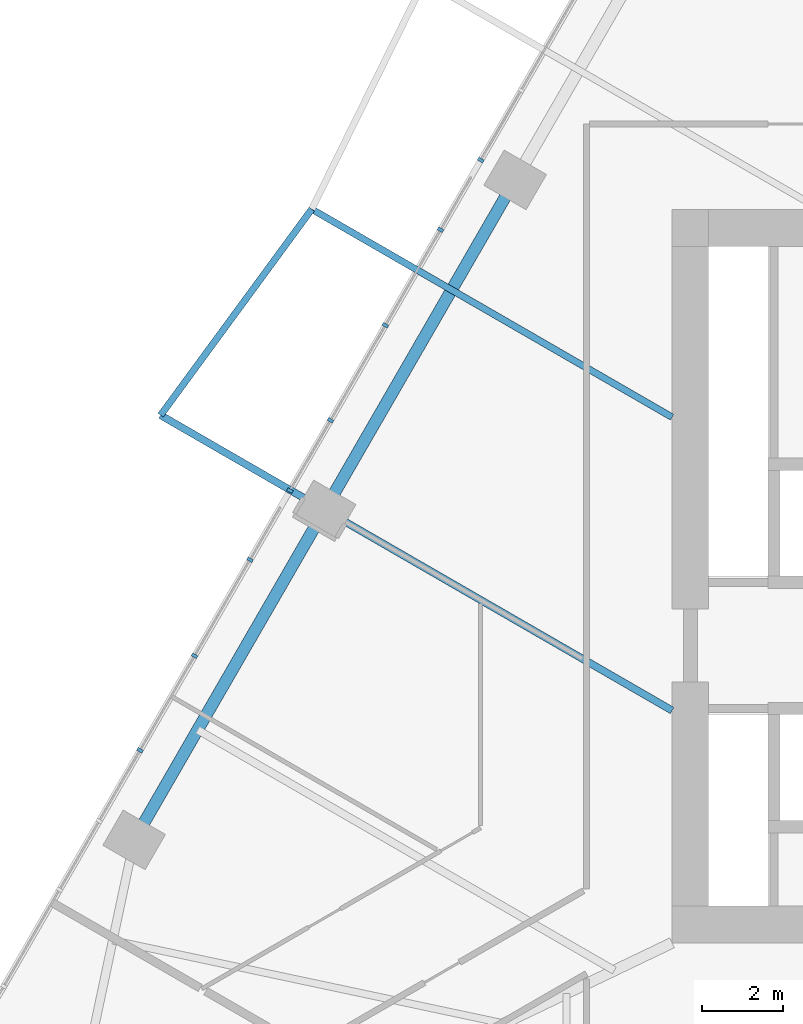
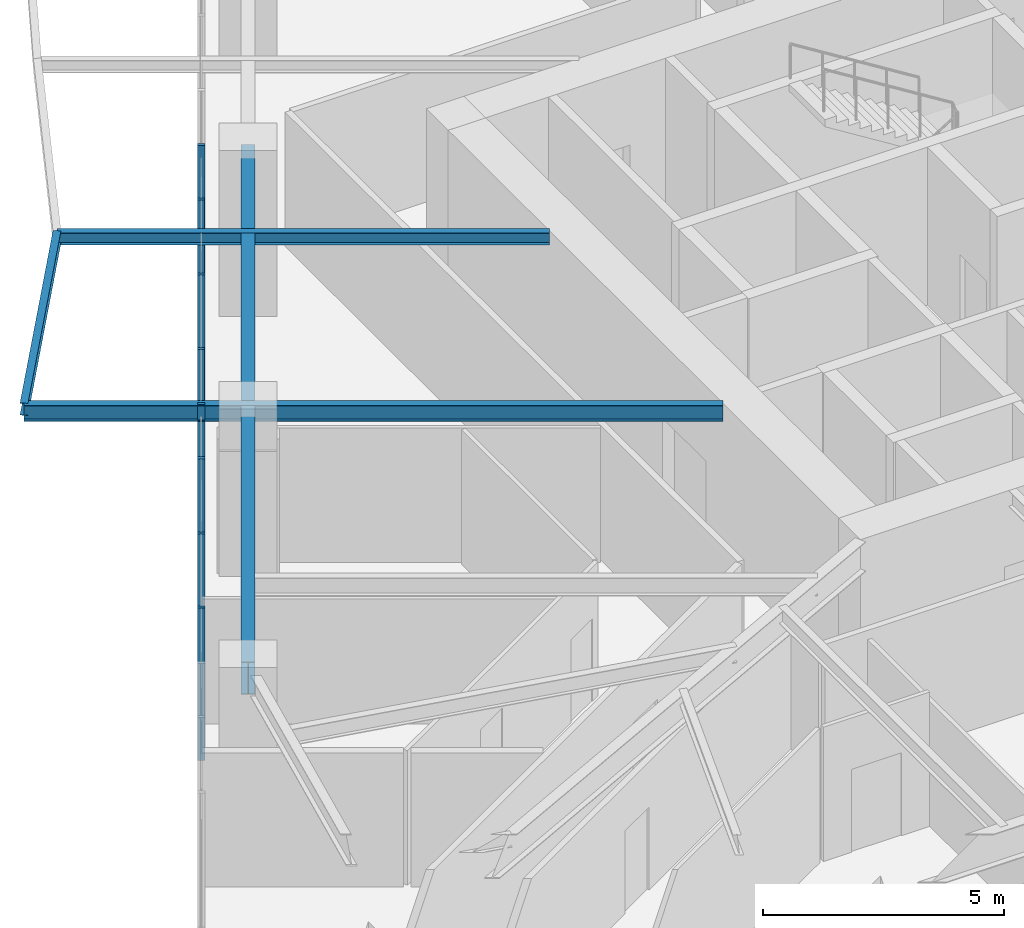
# One storey, part 4 of 22: 8 members, 4 beams, 1 element without a shape of its own.
"""IFC4 building model written with IfcOpenShell, lengths in metres."""

from ifc_helpers import new_model, si_unit, direction, frame, origin, origin_2d, place, context, subcontext, project, spatial, rectangle, i_section, extrude, material, layer, layer_set, material_profile, profile_set, type_object, element, aggregate, save


model = new_model("IFC4")

# Units and contexts
model_context = context("Model", 3, precision=1e-05, world=origin(), true_north=direction((0.0, 1.0)))
body_context = subcontext(model_context, "Body", "Model", "MODEL_VIEW")
ifc_project = project(units=[si_unit("LENGTHUNIT", "METRE"), si_unit("AREAUNIT", "SQUARE_METRE"), si_unit("VOLUMEUNIT", "CUBIC_METRE"), si_unit("PLANEANGLEUNIT", "RADIAN"), si_unit("MASSUNIT", "GRAM", prefix="KILO")], contexts=[model_context])

# Site, building, storey
site_placement = place(None, origin())
site = spatial("IfcSite", under=ifc_project, at=site_placement, CompositionType="ELEMENT")
building_placement = place(site_placement, origin())
building = spatial("IfcBuilding", under=site, at=building_placement, Name="Firuza Gate Tower and Library", CompositionType="ELEMENT")
storey_placement = place(building_placement, frame((0.0, 0.0, 111.39990234375)))
storey = spatial("IfcBuildingStorey", under=building, at=storey_placement, Name="L25", CompositionType="ELEMENT", Elevation=111.39990234375)

# Curtain wall, members
ifc_material_1 = material(Name="Aluminium 6063-T6", Category="aluminium")
ifc_layer = layer(ifc_material_1, 0.14990234375)
ifc_layer_set = layer_set([ifc_layer], Name="Unitised curtain wall, offices")
curtain_wall_type = type_object("IfcCurtainWallType", Name="Unitised curtain wall, offices", PredefinedType="NOTDEFINED", material=ifc_layer_set)
curtain_wall_placement = place(storey_placement, origin())
curtain_wall = element("IfcCurtainWall", 1, at=curtain_wall_placement, inside=storey, type_object=curtain_wall_type, Name="CW1 L25 W face", PredefinedType="NOTDEFINED")
ifc_material_2 = material(Name="Aluminium 6063-T6", Category="aluminium")
ifc_material_profile_1 = material_profile(ifc_material_2, rectangle(XDim=0.14990234375, YDim=0.080078125, at=origin_2d()))
ifc_profile_set_1 = profile_set([ifc_material_profile_1], Name="Aluminium 6063-T6")
member_type = type_object("IfcMemberType", Name="Curtain wall mullion 80x150", PredefinedType="MULLION", material=ifc_profile_set_1)
member_1_placement = place(storey_placement, frame((57.3037109375, 85.217041015625, 0.150146484375), z_axis=(0.0, 0.0, 1.0), x_axis=(0.866025403784, -0.5, 0.0)))
member_1 = element("IfcMember", 2, at=member_1_placement, type_object=member_type, Name="Mullion", PredefinedType="MULLION", context=body_context, shape_type="SweptSolid", body=[
    extrude(rectangle(XDim=0.14990234375, YDim=0.080078125, at=origin_2d()), origin(), (0.0, 0.0, 1.0), 3.849853515625),
])
member_2_placement = place(storey_placement, frame((54.961669921875, 81.16015625, 0.150146484375), z_axis=(0.0, 0.0, 1.0), x_axis=(0.866025403784, -0.5, 0.0)))
member_2 = element("IfcMember", 3, at=member_2_placement, type_object=member_type, Name="Mullion", PredefinedType="MULLION", context=body_context, shape_type="SweptSolid", body=[
    extrude(rectangle(XDim=0.14990234375, YDim=0.080078125, at=origin_2d()), origin(), (0.0, 0.0, 1.0), 3.849853515625),
])
member_3_placement = place(storey_placement, frame((52.619384765625, 77.103515625, 0.150146484375), z_axis=(0.0, 0.0, 1.0), x_axis=(0.866025403784, -0.5, 0.0)))
member_3 = element("IfcMember", 4, at=member_3_placement, type_object=member_type, Name="Mullion", PredefinedType="MULLION", context=body_context, shape_type="SweptSolid", body=[
    extrude(rectangle(XDim=0.14990234375, YDim=0.080078125, at=origin_2d()), origin(), (0.0, 0.0, 1.0), 3.849853515625),
])
member_4_placement = place(storey_placement, frame((50.27734375, 73.046630859375, 0.150146484375), z_axis=(0.0, 0.0, 1.0), x_axis=(0.866025403784, -0.5, 0.0)))
member_4 = element("IfcMember", 5, at=member_4_placement, type_object=member_type, Name="Mullion", PredefinedType="MULLION", context=body_context, shape_type="SweptSolid", body=[
    extrude(rectangle(XDim=0.14990234375, YDim=0.080078125, at=origin_2d()), origin(), (0.0, 0.0, 1.0), 3.849853515625),
])
member_5_placement = place(storey_placement, frame((56.3154296875, 83.50537109375, 0.150146484375), z_axis=(0.0, 0.0, 1.0), x_axis=(0.866025403784, -0.5, 0.0)))
member_5 = element("IfcMember", 6, at=member_5_placement, type_object=member_type, Name="Mullion", PredefinedType="MULLION", context=body_context, shape_type="SweptSolid", body=[
    extrude(rectangle(XDim=0.14990234375, YDim=0.080078125, at=origin_2d()), origin(), (0.0, 0.0, 1.0), 3.849853515625),
])
member_6_placement = place(storey_placement, frame((53.61474609375, 78.82763671875, 0.150146484375), z_axis=(0.0, 0.0, 1.0), x_axis=(0.866025403784, -0.5, 0.0)))
member_6 = element("IfcMember", 7, at=member_6_placement, type_object=member_type, Name="Mullion", PredefinedType="MULLION", context=body_context, shape_type="SweptSolid", body=[
    extrude(rectangle(XDim=0.14990234375, YDim=0.080078125, at=origin_2d()), origin(), (0.0, 0.0, 1.0), 3.849853515625),
])
member_7_placement = place(storey_placement, frame((51.638427734375, 75.404296875, 0.150146484375), z_axis=(0.0, 0.0, 1.0), x_axis=(0.866025403784, -0.5, 0.0)))
member_7 = element("IfcMember", 8, at=member_7_placement, type_object=member_type, Name="Mullion", PredefinedType="MULLION", context=body_context, shape_type="SweptSolid", body=[
    extrude(rectangle(XDim=0.14990234375, YDim=0.080078125, at=origin_2d()), origin(), (0.0, 0.0, 1.0), 3.849853515625),
])
member_8_placement = place(storey_placement, frame((48.937744140625, 70.7265625, 0.150146484375), z_axis=(0.0, 0.0, 1.0), x_axis=(0.866025403784, -0.5, 0.0)))
member_8 = element("IfcMember", 9, at=member_8_placement, type_object=member_type, Name="Mullion", PredefinedType="MULLION", context=body_context, shape_type="SweptSolid", body=[
    extrude(rectangle(XDim=0.14990234375, YDim=0.080078125, at=origin_2d()), origin(), (0.0, 0.0, 1.0), 3.849853515625),
])
aggregate(curtain_wall, [member_1, member_2, member_3, member_4, member_5, member_6, member_7, member_8])

# Beams
ifc_material_3 = material(Name="Steel S355", Category="steel")
ifc_material_profile_2 = material_profile(ifc_material_3, i_section(OverallWidth=0.1650390625, OverallDepth=0.31005859375, WebThickness=0.005859375, FlangeThickness=0.009765625, at=origin_2d()))
ifc_profile_set_2 = profile_set([ifc_material_profile_2], Name="Steel S355")
beam_type_1 = type_object("IfcBeamType", Name="W310x39 Floor beam", PredefinedType="JOIST", material=ifc_profile_set_2)
beam_1_placement = place(storey_placement, frame((53.155029296875, 84.01171875, 3.84521484375), z_axis=(0.866023570677, -0.500003175022, 0.0), x_axis=(0.500003175022, 0.866023570677, 0.0)))
element("IfcBeam", 10, at=beam_1_placement, inside=storey, type_object=beam_type_1, Name="Floor beam L25 s83", PredefinedType="JOIST", context=body_context, shape_type="SweptSolid", body=[
    extrude(i_section(OverallWidth=0.1650390625, OverallDepth=0.31005859375, WebThickness=0.005859375, FlangeThickness=0.009765625, at=origin_2d()), origin(), (0.0, 0.0, 1.0), 10.21337890625),
])
beam_2_placement = place(storey_placement, frame((53.155029296875, 84.01171875, 3.84521484375), z_axis=(-0.591517178342, -0.806292395925, 0.0), x_axis=(0.806292395925, -0.591517178342, 0.0)))
element("IfcBeam", 11, at=beam_2_placement, inside=storey, type_object=beam_type_1, Name="Tray edge beam L25 s83-s84", PredefinedType="JOIST", context=body_context, shape_type="SweptSolid", body=[
    extrude(i_section(OverallWidth=0.1650390625, OverallDepth=0.31005859375, WebThickness=0.005859375, FlangeThickness=0.009765625, at=origin_2d()), origin(), (0.0, 0.0, 1.0), 6.273681640625),
])
ifc_material_4 = material(Name="Steel S355", Category="steel")
ifc_material_profile_3 = material_profile(ifc_material_4, i_section(OverallWidth=0.177978515625, OverallDepth=0.406982421875, WebThickness=0.0078125, FlangeThickness=0.0126953125, at=origin_2d()))
ifc_profile_set_3 = profile_set([ifc_material_profile_3], Name="Steel S355")
beam_type_2 = type_object("IfcBeamType", Name="W410x60 Floor beam", PredefinedType="JOIST", material=ifc_profile_set_3)
beam_3_placement = place(storey_placement, frame((49.444091796875, 78.953369140625, 3.796630859375), z_axis=(0.866029392241, -0.499993091727, 0.0), x_axis=(0.499993091727, 0.866029392241, 0.0)))
element("IfcBeam", 12, at=beam_3_placement, inside=storey, type_object=beam_type_2, Name="Floor beam L25 s84", PredefinedType="JOIST", context=body_context, shape_type="SweptSolid", body=[
    extrude(i_section(OverallWidth=0.177978515625, OverallDepth=0.406982421875, WebThickness=0.0078125, FlangeThickness=0.0126953125, at=origin_2d()), origin(), (0.0, 0.0, 1.0), 14.498291015625),
])
ifc_material_5 = material(Name="Steel S355", Category="steel")
ifc_material_profile_4 = material_profile(ifc_material_5, i_section(OverallWidth=0.2919921875, OverallDepth=0.8349609375, WebThickness=0.013916015625, FlangeThickness=0.018798828125, at=origin_2d()))
ifc_profile_set_4 = profile_set([ifc_material_profile_4], Name="Steel S355")
beam_type_3 = type_object("IfcBeamType", Name="W840x176 Edge beam", PredefinedType="SPANDREL", material=ifc_profile_set_4)
beam_4_placement = place(storey_placement, frame((58.148193359375, 84.7294921875, 3.58251953125), z_axis=(-0.50000297619, -0.866023685473, 0.0), x_axis=(0.866023685473, -0.50000297619, 0.0)))
element("IfcBeam", 13, at=beam_4_placement, inside=storey, type_object=beam_type_3, Name="Edge beam L25 e82", PredefinedType="SPANDREL", context=body_context, shape_type="SweptSolid", body=[
    extrude(i_section(OverallWidth=0.2919921875, OverallDepth=0.8349609375, WebThickness=0.013916015625, FlangeThickness=0.018798828125, at=origin_2d()), origin(), (0.0, 0.0, 1.0), 18.70849609375),
])

save(model, "model.ifc")
